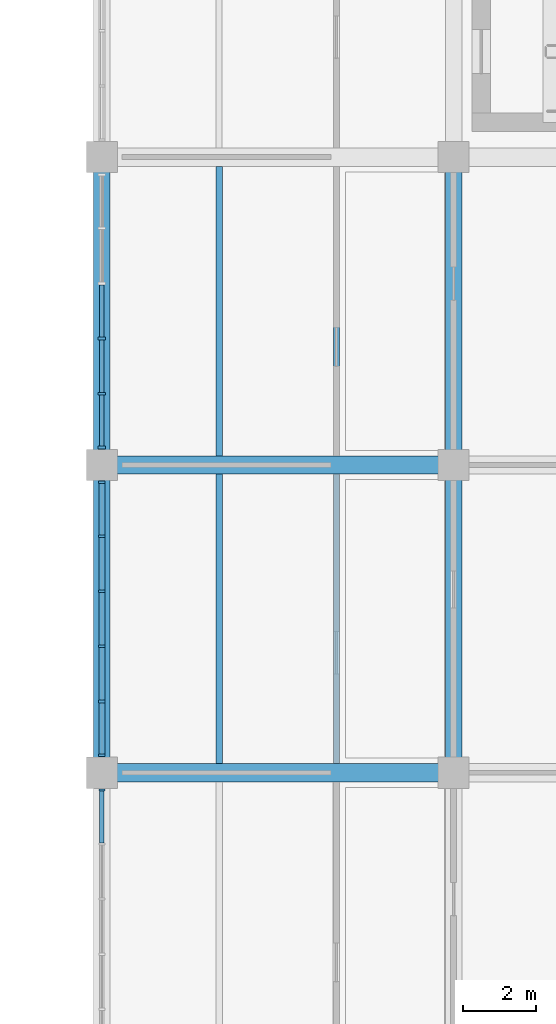
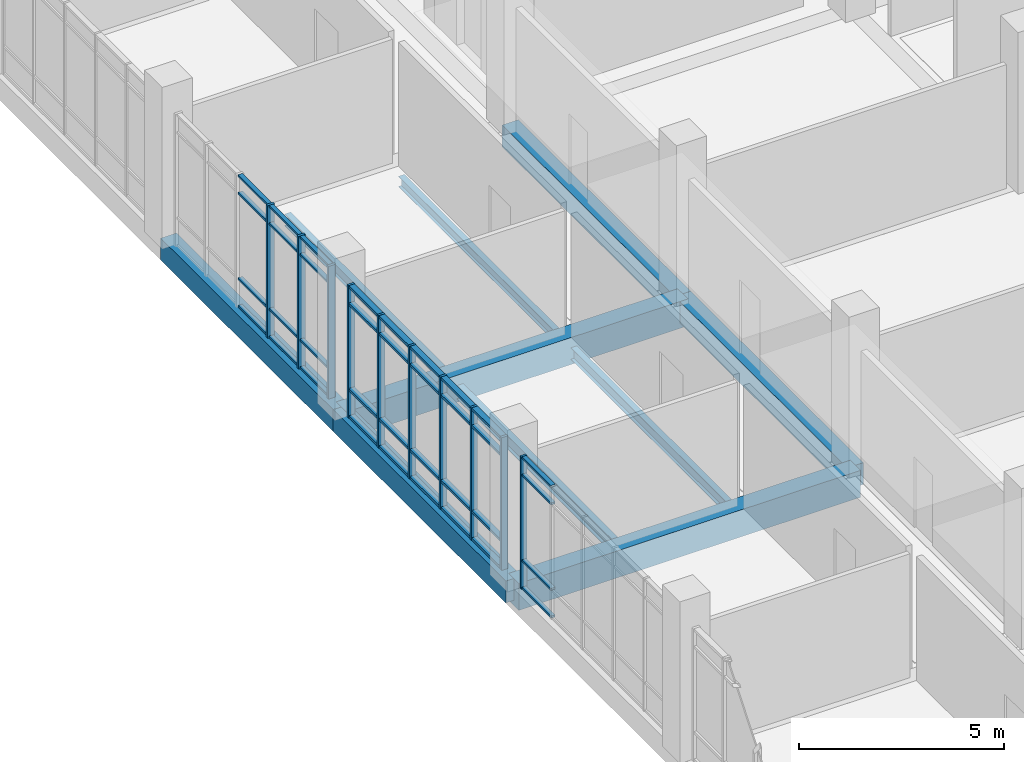
# One storey, part 24 of 152: 46 members, 10 beams, 3 elements without a shape of their own.
"""IFC4 building model written with IfcOpenShell, lengths in metres."""

from ifc_helpers import new_model, si_unit, direction, frame, origin, origin_2d, place, context, subcontext, project, spatial, rectangle, i_section, extrude, material, material_profile, profile_set, type_object, element, aggregate, save


model = new_model("IFC4")

# Units and contexts
model_context = context("Model", 3, precision=1e-05, world=origin(), true_north=direction((0.0, 1.0)))
body_context = subcontext(model_context, "Body", "Model", "MODEL_VIEW")
ifc_project = project(units=[si_unit("LENGTHUNIT", "METRE"), si_unit("AREAUNIT", "SQUARE_METRE"), si_unit("VOLUMEUNIT", "CUBIC_METRE"), si_unit("PLANEANGLEUNIT", "RADIAN"), si_unit("MASSUNIT", "GRAM", prefix="KILO")], contexts=[model_context])

# Site, building, storey
site_placement = place(None, origin())
site = spatial("IfcSite", under=ifc_project, at=site_placement, CompositionType="ELEMENT")
building_placement = place(site_placement, origin())
building = spatial("IfcBuilding", under=site, at=building_placement, Name="Oolite Switchyard Hospital", CompositionType="ELEMENT")
storey_placement = place(building_placement, frame((0.0, 0.0, 5.10009765625)))
storey = spatial("IfcBuildingStorey", under=building, at=storey_placement, Name="L01", CompositionType="ELEMENT", Elevation=5.10009765625)

# Beams
ifc_material_1 = material(Name="Concrete C40/50", Category="concrete")
ifc_material_profile_1 = material_profile(ifc_material_1, rectangle(XDim=0.449951171875, YDim=0.64990234375, at=origin_2d()), Name="RCB450X650")
ifc_profile_set_1 = profile_set([ifc_material_profile_1], Name="Concrete C40/50")
beam_type_1 = type_object("IfcBeamType", Name="BM-RC450X650", PredefinedType="BEAM", material=ifc_profile_set_1)
beam_1_placement = place(storey_placement, frame((115.199951171875, 50.39990234375, -0.3251953125), z_axis=(0.0, 1.0, 0.0), x_axis=(-1.0, 0.0, 0.0)))
element("IfcBeam", 1, at=beam_1_placement, inside=storey, type_object=beam_type_1, Name="L01 Y-Girder 428", PredefinedType="BEAM", context=body_context, shape_type="SweptSolid", body=[
    extrude(rectangle(XDim=0.449951171875, YDim=0.64990234375, at=origin_2d()), origin(), (0.0, 0.0, 1.0), 8.400146484375),
])
beam_2_placement = place(storey_placement, frame((115.199951171875, 58.800048828125, -0.3251953125), z_axis=(0.0, 1.0, 0.0), x_axis=(-1.0, 0.0, 0.0)))
element("IfcBeam", 2, at=beam_2_placement, inside=storey, type_object=beam_type_1, Name="L01 Y-Girder 429", PredefinedType="BEAM", context=body_context, shape_type="SweptSolid", body=[
    extrude(rectangle(XDim=0.449951171875, YDim=0.64990234375, at=origin_2d()), origin(), (0.0, 0.0, 1.0), 8.39990234375),
])
beam_3_placement = place(storey_placement, frame((124.800048828125, 50.39990234375, -0.3251953125), z_axis=(0.0, 1.0, 0.0), x_axis=(-1.0, 0.0, 0.0)))
element("IfcBeam", 3, at=beam_3_placement, inside=storey, type_object=beam_type_1, Name="L01 Y-Girder 437", PredefinedType="BEAM", context=body_context, shape_type="SweptSolid", body=[
    extrude(rectangle(XDim=0.449951171875, YDim=0.64990234375, at=origin_2d()), origin(), (0.0, 0.0, 1.0), 8.400146484375),
])
beam_4_placement = place(storey_placement, frame((124.800048828125, 58.800048828125, -0.3251953125), z_axis=(0.0, 1.0, 0.0), x_axis=(-1.0, 0.0, 0.0)))
element("IfcBeam", 4, at=beam_4_placement, inside=storey, type_object=beam_type_1, Name="L01 Y-Girder 438", PredefinedType="BEAM", context=body_context, shape_type="SweptSolid", body=[
    extrude(rectangle(XDim=0.449951171875, YDim=0.64990234375, at=origin_2d()), origin(), (0.0, 0.0, 1.0), 8.39990234375),
])
ifc_material_profile_2 = material_profile(ifc_material_1, rectangle(XDim=0.5, YDim=0.800048828125, at=origin_2d()), Name="RCB500X800")
ifc_profile_set_2 = profile_set([ifc_material_profile_2], Name="Concrete C40/50")
beam_type_2 = type_object("IfcBeamType", Name="BM-RC500X800", PredefinedType="BEAM", material=ifc_profile_set_2)
for number, where, z_axis, x_axis, name in (
    (5, (115.199951171875, 50.39990234375, -0.400146484375), (1.0, 0.0, 0.0), (0.0, 1.0, 0.0), "L01 X-Girder 102"),
    (6, (115.199951171875, 58.800048828125, -0.400146484375), (1.0, 0.0, 0.0), (0.0, 1.0, 0.0), "L01 X-Girder 118"),
):
    element("IfcBeam", number, at=place(storey_placement, frame(where, z_axis=z_axis, x_axis=x_axis)), inside=storey, type_object=beam_type_2, Name=name, PredefinedType="BEAM", context=body_context, shape_type="SweptSolid", body=[
        extrude(rectangle(XDim=0.5, YDim=0.800048828125, at=origin_2d()), origin(), (0.0, 0.0, 1.0), 9.60009765625),
    ])
ifc_material_2 = material(Name="Steel ASTM A992 Grade 50", Category="steel")
ifc_material_profile_3 = material_profile(ifc_material_2, i_section(OverallWidth=0.1650390625, OverallDepth=0.31005859375, WebThickness=0.006103515625, FlangeThickness=0.010009765625, at=origin_2d()), Name="W12X26")
ifc_profile_set_3 = profile_set([ifc_material_profile_3], Name="Steel ASTM A992 Grade 50")
beam_type_3 = type_object("IfcBeamType", Name="BM-W12X26", PredefinedType="JOIST", material=ifc_profile_set_3)
beam_5_placement = place(storey_placement, frame((121.60009765625, 59.050048828125, -0.455078125), z_axis=(0.0, 1.0, 0.0), x_axis=(-1.0, 0.0, 0.0)))
element("IfcBeam", 7, at=beam_5_placement, inside=storey, type_object=beam_type_3, Name="L01 Secondary Steel Joist 797", PredefinedType="JOIST", context=body_context, shape_type="SweptSolid", body=[
    extrude(i_section(OverallWidth=0.1650390625, OverallDepth=0.31005859375, WebThickness=0.006103515625, FlangeThickness=0.010009765625, at=origin_2d()), origin(), (0.0, 0.0, 1.0), 7.89990234375),
])
ifc_material_profile_4 = material_profile(ifc_material_2, i_section(OverallWidth=0.1708984375, OverallDepth=0.35107421875, WebThickness=0.007080078125, FlangeThickness=0.010009765625, at=origin_2d()), Name="W14X30")
ifc_profile_set_4 = profile_set([ifc_material_profile_4], Name="Steel ASTM A992 Grade 50")
beam_type_4 = type_object("IfcBeamType", Name="BM-W14X30", PredefinedType="JOIST", material=ifc_profile_set_4)
beam_6_placement = place(storey_placement, frame((121.60009765625, 50.64990234375, -0.47607421875), z_axis=(0.0, 1.0, 0.0), x_axis=(-1.0, 0.0, 0.0)))
element("IfcBeam", 8, at=beam_6_placement, inside=storey, type_object=beam_type_4, Name="L01 Secondary Steel Joist 795", PredefinedType="JOIST", context=body_context, shape_type="SweptSolid", body=[
    extrude(i_section(OverallWidth=0.1708984375, OverallDepth=0.35107421875, WebThickness=0.007080078125, FlangeThickness=0.010009765625, at=origin_2d()), origin(), (0.0, 0.0, 1.0), 7.900146484375),
])
beam_7_placement = place(storey_placement, frame((118.39990234375, 59.050048828125, -0.47607421875), z_axis=(0.0, 1.0, 0.0), x_axis=(-1.0, 0.0, 0.0)))
element("IfcBeam", 9, at=beam_7_placement, inside=storey, type_object=beam_type_4, Name="L01 Secondary Steel Joist 796", PredefinedType="JOIST", context=body_context, shape_type="SweptSolid", body=[
    extrude(i_section(OverallWidth=0.1708984375, OverallDepth=0.35107421875, WebThickness=0.007080078125, FlangeThickness=0.010009765625, at=origin_2d()), origin(), (0.0, 0.0, 1.0), 7.89990234375),
])
ifc_material_profile_5 = material_profile(ifc_material_2, i_section(OverallWidth=0.177978515625, OverallDepth=0.403076171875, WebThickness=0.008056640625, FlangeThickness=0.010986328125, at=origin_2d()), Name="W16X36")
ifc_profile_set_5 = profile_set([ifc_material_profile_5], Name="Steel ASTM A992 Grade 50")
beam_type_5 = type_object("IfcBeamType", Name="BM-W16X36", PredefinedType="JOIST", material=ifc_profile_set_5)
beam_8_placement = place(storey_placement, frame((118.39990234375, 50.64990234375, -0.502197265625), z_axis=(0.0, 1.0, 0.0), x_axis=(-1.0, 0.0, 0.0)))
element("IfcBeam", 10, at=beam_8_placement, inside=storey, type_object=beam_type_5, Name="L01 Secondary Steel Joist 794", PredefinedType="JOIST", context=body_context, shape_type="SweptSolid", body=[
    extrude(i_section(OverallWidth=0.177978515625, OverallDepth=0.403076171875, WebThickness=0.008056640625, FlangeThickness=0.010986328125, at=origin_2d()), origin(), (0.0, 0.0, 1.0), 7.900146484375),
])

# Curtain wall, member
ifc_material_3 = material(Name="Thermally broken aluminum frame with laminated impact glazing", Category="aluminium")
curtain_wall_type = type_object("IfcCurtainWallType", Name="CW-UNIT-84X48", PredefinedType="USERDEFINED", material=ifc_material_3)
curtain_wall_1_placement = place(storey_placement, origin())
curtain_wall_1 = element("IfcCurtainWall", 11, at=curtain_wall_1_placement, inside=storey, type_object=curtain_wall_type, Name="L01 Unitised Curtain Wall 182", ObjectType="UNITISED", PredefinedType="USERDEFINED")
ifc_material_4 = material(Name="Aluminium 6063-T6", Category="aluminium")
ifc_material_profile_6 = material_profile(ifc_material_4, rectangle(XDim=0.159912109375, YDim=0.06005859375, at=origin_2d()), Name="CWM60X160")
ifc_profile_set_6 = profile_set([ifc_material_profile_6], Name="Aluminium 6063-T6")
member_type_1 = type_object("IfcMemberType", Name="CW-MUL-180", PredefinedType="MULLION", material=ifc_profile_set_6)
member_1_placement = place(storey_placement, frame((115.199951171875, 49.929931640625, 0.0), z_axis=(0.0, 0.0, 1.0), x_axis=(-1.0, 0.0, 0.0)))
member_1 = element("IfcMember", 12, at=member_1_placement, type_object=member_type_1, Name="CW-07 mullion 6", PredefinedType="MULLION", context=body_context, shape_type="SweptSolid", body=[
    extrude(rectangle(XDim=0.159912109375, YDim=0.06005859375, at=origin_2d()), origin(), (0.0, 0.0, 1.0), 3.93994140625),
])

# Curtain wall, members
curtain_wall_2_placement = place(storey_placement, origin())
curtain_wall_2 = element("IfcCurtainWall", 13, at=curtain_wall_2_placement, inside=storey, type_object=curtain_wall_type, Name="L01 Unitised Curtain Wall 183", ObjectType="UNITISED", PredefinedType="USERDEFINED")
ifc_material_profile_7 = material_profile(ifc_material_4, rectangle(XDim=0.179931640625, YDim=0.070068359375, at=origin_2d()), Name="CWM70X180")
ifc_profile_set_7 = profile_set([ifc_material_profile_7], Name="Aluminium 6063-T6")
member_type_2 = type_object("IfcMemberType", Name="CW-MUL-220", PredefinedType="MULLION", material=ifc_profile_set_7)
member_2_placement = place(storey_placement, frame((115.199951171875, 50.875, 0.0), z_axis=(0.0, 0.0, 1.0), x_axis=(-1.0, 0.0, 0.0)))
member_2 = element("IfcMember", 14, at=member_2_placement, type_object=member_type_2, Name="CW-07 mullion 1", PredefinedType="MULLION", context=body_context, shape_type="SweptSolid", body=[
    extrude(rectangle(XDim=0.179931640625, YDim=0.070068359375, at=origin_2d()), origin(), (0.0, 0.0, 1.0), 3.93994140625),
])
member_3_placement = place(storey_placement, frame((115.199951171875, 52.343994140625, 0.0), z_axis=(0.0, 0.0, 1.0), x_axis=(-1.0, 0.0, 0.0)))
member_3 = element("IfcMember", 15, at=member_3_placement, type_object=member_type_2, Name="CW-07 mullion 2", PredefinedType="MULLION", context=body_context, shape_type="SweptSolid", body=[
    extrude(rectangle(XDim=0.179931640625, YDim=0.070068359375, at=origin_2d()), origin(), (0.0, 0.0, 1.0), 3.93994140625),
])
member_4_placement = place(storey_placement, frame((115.199951171875, 53.847900390625, 0.0), z_axis=(0.0, 0.0, 1.0), x_axis=(-1.0, 0.0, 0.0)))
member_4 = element("IfcMember", 16, at=member_4_placement, type_object=member_type_2, Name="CW-07 mullion 3", PredefinedType="MULLION", context=body_context, shape_type="SweptSolid", body=[
    extrude(rectangle(XDim=0.179931640625, YDim=0.070068359375, at=origin_2d()), origin(), (0.0, 0.0, 1.0), 3.93994140625),
])
member_5_placement = place(storey_placement, frame((115.199951171875, 55.35205078125, 0.0), z_axis=(0.0, 0.0, 1.0), x_axis=(-1.0, 0.0, 0.0)))
member_5 = element("IfcMember", 17, at=member_5_placement, type_object=member_type_2, Name="CW-07 mullion 4", PredefinedType="MULLION", context=body_context, shape_type="SweptSolid", body=[
    extrude(rectangle(XDim=0.179931640625, YDim=0.070068359375, at=origin_2d()), origin(), (0.0, 0.0, 1.0), 3.93994140625),
])
member_6_placement = place(storey_placement, frame((115.199951171875, 56.85595703125, 0.0), z_axis=(0.0, 0.0, 1.0), x_axis=(-1.0, 0.0, 0.0)))
member_6 = element("IfcMember", 18, at=member_6_placement, type_object=member_type_2, Name="CW-07 mullion 5", PredefinedType="MULLION", context=body_context, shape_type="SweptSolid", body=[
    extrude(rectangle(XDim=0.179931640625, YDim=0.070068359375, at=origin_2d()), origin(), (0.0, 0.0, 1.0), 3.93994140625),
])
member_7_placement = place(storey_placement, frame((115.199951171875, 58.324951171875, 0.0), z_axis=(0.0, 0.0, 1.0), x_axis=(-1.0, 0.0, 0.0)))
member_7 = element("IfcMember", 19, at=member_7_placement, type_object=member_type_2, Name="CW-07 mullion 6", PredefinedType="MULLION", context=body_context, shape_type="SweptSolid", body=[
    extrude(rectangle(XDim=0.179931640625, YDim=0.070068359375, at=origin_2d()), origin(), (0.0, 0.0, 1.0), 3.93994140625),
])

curtain_wall_3_placement = place(storey_placement, origin())
curtain_wall_3 = element("IfcCurtainWall", 20, at=curtain_wall_3_placement, inside=storey, type_object=curtain_wall_type, Name="L01 Unitised Curtain Wall 184", ObjectType="UNITISED", PredefinedType="USERDEFINED")
ifc_material_profile_8 = material_profile(ifc_material_4, rectangle(XDim=0.199951171875, YDim=0.074951171875, at=origin_2d()), Name="CWM75X200")
ifc_profile_set_8 = profile_set([ifc_material_profile_8], Name="Aluminium 6063-T6")
member_type_3 = type_object("IfcMemberType", Name="CW-MUL-260", PredefinedType="MULLION", material=ifc_profile_set_8)
member_8_placement = place(storey_placement, frame((115.199951171875, 59.277587890625, 0.0), z_axis=(0.0, 0.0, 1.0), x_axis=(-1.0, 0.0, 0.0)))
member_8 = element("IfcMember", 21, at=member_8_placement, type_object=member_type_3, Name="CW-07 mullion 1", PredefinedType="MULLION", context=body_context, shape_type="SweptSolid", body=[
    extrude(rectangle(XDim=0.199951171875, YDim=0.074951171875, at=origin_2d()), origin(), (0.0, 0.0, 1.0), 3.93994140625),
])
member_9_placement = place(storey_placement, frame((115.199951171875, 60.743896484375, 0.0), z_axis=(0.0, 0.0, 1.0), x_axis=(-1.0, 0.0, 0.0)))
member_9 = element("IfcMember", 22, at=member_9_placement, type_object=member_type_3, Name="CW-07 mullion 2", PredefinedType="MULLION", context=body_context, shape_type="SweptSolid", body=[
    extrude(rectangle(XDim=0.199951171875, YDim=0.074951171875, at=origin_2d()), origin(), (0.0, 0.0, 1.0), 3.93994140625),
])
member_10_placement = place(storey_placement, frame((115.199951171875, 62.248046875, 0.0), z_axis=(0.0, 0.0, 1.0), x_axis=(-1.0, 0.0, 0.0)))
member_10 = element("IfcMember", 23, at=member_10_placement, type_object=member_type_3, Name="CW-07 mullion 3", PredefinedType="MULLION", context=body_context, shape_type="SweptSolid", body=[
    extrude(rectangle(XDim=0.199951171875, YDim=0.074951171875, at=origin_2d()), origin(), (0.0, 0.0, 1.0), 3.93994140625),
])

# Member
ifc_material_profile_9 = material_profile(ifc_material_4, rectangle(XDim=0.1201171875, YDim=0.06005859375, at=origin_2d()), Name="CWT60X120")
ifc_profile_set_9 = profile_set([ifc_material_profile_9], Name="Aluminium 6063-T6")
member_type_4 = type_object("IfcMemberType", Name="CW-TRN-150", PredefinedType="USERDEFINED", material=ifc_profile_set_9)
member_11_placement = place(storey_placement, frame((115.199951171875, 48.486083984375, 0.02978515625), z_axis=(0.0, 1.0, 0.0), x_axis=(-1.0, 0.0, 0.0)))
member_11 = element("IfcMember", 24, at=member_11_placement, type_object=member_type_4, Name="CW-07 transom 5.1", ObjectType="TRANSOM", PredefinedType="USERDEFINED", context=body_context, shape_type="SweptSolid", body=[
    extrude(rectangle(XDim=0.1201171875, YDim=0.06005859375, at=origin_2d()), origin(), (0.0, 0.0, 1.0), 1.413818359375),
])

member_12_placement = place(storey_placement, frame((115.199951171875, 48.486083984375, 0.849853515625), z_axis=(0.0, 1.0, 0.0), x_axis=(-1.0, 0.0, 0.0)))
member_12 = element("IfcMember", 25, at=member_12_placement, type_object=member_type_4, Name="CW-07 transom 5.2", ObjectType="TRANSOM", PredefinedType="USERDEFINED", context=body_context, shape_type="SweptSolid", body=[
    extrude(rectangle(XDim=0.1201171875, YDim=0.06005859375, at=origin_2d()), origin(), (0.0, 0.0, 1.0), 1.413818359375),
])

member_13_placement = place(storey_placement, frame((115.199951171875, 48.486083984375, 3.389892578125), z_axis=(0.0, 1.0, 0.0), x_axis=(-1.0, 0.0, 0.0)))
member_13 = element("IfcMember", 26, at=member_13_placement, type_object=member_type_4, Name="CW-07 transom 5.3", ObjectType="TRANSOM", PredefinedType="USERDEFINED", context=body_context, shape_type="SweptSolid", body=[
    extrude(rectangle(XDim=0.1201171875, YDim=0.06005859375, at=origin_2d()), origin(), (0.0, 0.0, 1.0), 1.413818359375),
])

member_14_placement = place(storey_placement, frame((115.199951171875, 48.486083984375, 3.909912109375), z_axis=(0.0, 1.0, 0.0), x_axis=(-1.0, 0.0, 0.0)))
member_14 = element("IfcMember", 27, at=member_14_placement, type_object=member_type_4, Name="CW-07 transom 5.4", ObjectType="TRANSOM", PredefinedType="USERDEFINED", context=body_context, shape_type="SweptSolid", body=[
    extrude(rectangle(XDim=0.1201171875, YDim=0.06005859375, at=origin_2d()), origin(), (0.0, 0.0, 1.0), 1.413818359375),
])

aggregate(curtain_wall_1, [member_1, member_11, member_12, member_13, member_14])

member_15_placement = place(storey_placement, frame((115.199951171875, 59.31494140625, 0.02978515625), z_axis=(0.0, 1.0, 0.0), x_axis=(-1.0, 0.0, 0.0)))
member_15 = element("IfcMember", 28, at=member_15_placement, type_object=member_type_4, Name="CW-07 transom 1.1", ObjectType="TRANSOM", PredefinedType="USERDEFINED", context=body_context, shape_type="SweptSolid", body=[
    extrude(rectangle(XDim=0.1201171875, YDim=0.06005859375, at=origin_2d()), origin(), (0.0, 0.0, 1.0), 1.3916015625),
])

member_16_placement = place(storey_placement, frame((115.199951171875, 59.31494140625, 0.849853515625), z_axis=(0.0, 1.0, 0.0), x_axis=(-1.0, 0.0, 0.0)))
member_16 = element("IfcMember", 29, at=member_16_placement, type_object=member_type_4, Name="CW-07 transom 1.2", ObjectType="TRANSOM", PredefinedType="USERDEFINED", context=body_context, shape_type="SweptSolid", body=[
    extrude(rectangle(XDim=0.1201171875, YDim=0.06005859375, at=origin_2d()), origin(), (0.0, 0.0, 1.0), 1.3916015625),
])

member_17_placement = place(storey_placement, frame((115.199951171875, 59.31494140625, 3.389892578125), z_axis=(0.0, 1.0, 0.0), x_axis=(-1.0, 0.0, 0.0)))
member_17 = element("IfcMember", 30, at=member_17_placement, type_object=member_type_4, Name="CW-07 transom 1.3", ObjectType="TRANSOM", PredefinedType="USERDEFINED", context=body_context, shape_type="SweptSolid", body=[
    extrude(rectangle(XDim=0.1201171875, YDim=0.06005859375, at=origin_2d()), origin(), (0.0, 0.0, 1.0), 1.3916015625),
])

member_18_placement = place(storey_placement, frame((115.199951171875, 59.31494140625, 3.909912109375), z_axis=(0.0, 1.0, 0.0), x_axis=(-1.0, 0.0, 0.0)))
member_18 = element("IfcMember", 31, at=member_18_placement, type_object=member_type_4, Name="CW-07 transom 1.4", ObjectType="TRANSOM", PredefinedType="USERDEFINED", context=body_context, shape_type="SweptSolid", body=[
    extrude(rectangle(XDim=0.1201171875, YDim=0.06005859375, at=origin_2d()), origin(), (0.0, 0.0, 1.0), 1.3916015625),
])

member_19_placement = place(storey_placement, frame((115.199951171875, 60.781494140625, 0.02978515625), z_axis=(0.0, 1.0, 0.0), x_axis=(-1.0, 0.0, 0.0)))
member_19 = element("IfcMember", 32, at=member_19_placement, type_object=member_type_4, Name="CW-07 transom 2.1", ObjectType="TRANSOM", PredefinedType="USERDEFINED", context=body_context, shape_type="SweptSolid", body=[
    extrude(rectangle(XDim=0.1201171875, YDim=0.06005859375, at=origin_2d()), origin(), (0.0, 0.0, 1.0), 1.428955078125),
])

member_20_placement = place(storey_placement, frame((115.199951171875, 60.781494140625, 0.849853515625), z_axis=(0.0, 1.0, 0.0), x_axis=(-1.0, 0.0, 0.0)))
member_20 = element("IfcMember", 33, at=member_20_placement, type_object=member_type_4, Name="CW-07 transom 2.2", ObjectType="TRANSOM", PredefinedType="USERDEFINED", context=body_context, shape_type="SweptSolid", body=[
    extrude(rectangle(XDim=0.1201171875, YDim=0.06005859375, at=origin_2d()), origin(), (0.0, 0.0, 1.0), 1.428955078125),
])

member_21_placement = place(storey_placement, frame((115.199951171875, 60.781494140625, 3.389892578125), z_axis=(0.0, 1.0, 0.0), x_axis=(-1.0, 0.0, 0.0)))
member_21 = element("IfcMember", 34, at=member_21_placement, type_object=member_type_4, Name="CW-07 transom 2.3", ObjectType="TRANSOM", PredefinedType="USERDEFINED", context=body_context, shape_type="SweptSolid", body=[
    extrude(rectangle(XDim=0.1201171875, YDim=0.06005859375, at=origin_2d()), origin(), (0.0, 0.0, 1.0), 1.428955078125),
])

member_22_placement = place(storey_placement, frame((115.199951171875, 60.781494140625, 3.909912109375), z_axis=(0.0, 1.0, 0.0), x_axis=(-1.0, 0.0, 0.0)))
member_22 = element("IfcMember", 35, at=member_22_placement, type_object=member_type_4, Name="CW-07 transom 2.4", ObjectType="TRANSOM", PredefinedType="USERDEFINED", context=body_context, shape_type="SweptSolid", body=[
    extrude(rectangle(XDim=0.1201171875, YDim=0.06005859375, at=origin_2d()), origin(), (0.0, 0.0, 1.0), 1.428955078125),
])

member_23_placement = place(storey_placement, frame((115.199951171875, 62.285400390625, 0.02978515625), z_axis=(0.0, 1.0, 0.0), x_axis=(-1.0, 0.0, 0.0)))
member_23 = element("IfcMember", 36, at=member_23_placement, type_object=member_type_4, Name="CW-07 transom 3.1", ObjectType="TRANSOM", PredefinedType="USERDEFINED", context=body_context, shape_type="SweptSolid", body=[
    extrude(rectangle(XDim=0.1201171875, YDim=0.06005859375, at=origin_2d()), origin(), (0.0, 0.0, 1.0), 1.42919921875),
])

member_24_placement = place(storey_placement, frame((115.199951171875, 62.285400390625, 0.849853515625), z_axis=(0.0, 1.0, 0.0), x_axis=(-1.0, 0.0, 0.0)))
member_24 = element("IfcMember", 37, at=member_24_placement, type_object=member_type_4, Name="CW-07 transom 3.2", ObjectType="TRANSOM", PredefinedType="USERDEFINED", context=body_context, shape_type="SweptSolid", body=[
    extrude(rectangle(XDim=0.1201171875, YDim=0.06005859375, at=origin_2d()), origin(), (0.0, 0.0, 1.0), 1.42919921875),
])

member_25_placement = place(storey_placement, frame((115.199951171875, 62.285400390625, 3.389892578125), z_axis=(0.0, 1.0, 0.0), x_axis=(-1.0, 0.0, 0.0)))
member_25 = element("IfcMember", 38, at=member_25_placement, type_object=member_type_4, Name="CW-07 transom 3.3", ObjectType="TRANSOM", PredefinedType="USERDEFINED", context=body_context, shape_type="SweptSolid", body=[
    extrude(rectangle(XDim=0.1201171875, YDim=0.06005859375, at=origin_2d()), origin(), (0.0, 0.0, 1.0), 1.42919921875),
])

member_26_placement = place(storey_placement, frame((115.199951171875, 62.285400390625, 3.909912109375), z_axis=(0.0, 1.0, 0.0), x_axis=(-1.0, 0.0, 0.0)))
member_26 = element("IfcMember", 39, at=member_26_placement, type_object=member_type_4, Name="CW-07 transom 3.4", ObjectType="TRANSOM", PredefinedType="USERDEFINED", context=body_context, shape_type="SweptSolid", body=[
    extrude(rectangle(XDim=0.1201171875, YDim=0.06005859375, at=origin_2d()), origin(), (0.0, 0.0, 1.0), 1.42919921875),
])

aggregate(curtain_wall_3, [member_8, member_9, member_10, member_15, member_16, member_17, member_18, member_19, member_20, member_21, member_22, member_23, member_24, member_25, member_26])

ifc_material_profile_10 = material_profile(ifc_material_4, rectangle(XDim=0.159912109375, YDim=0.074951171875, at=origin_2d()), Name="CWT75X160")
ifc_profile_set_10 = profile_set([ifc_material_profile_10], Name="Aluminium 6063-T6")
member_type_5 = type_object("IfcMemberType", Name="CW-TRN-180", PredefinedType="USERDEFINED", material=ifc_profile_set_10)
member_27_placement = place(storey_placement, frame((115.199951171875, 50.909912109375, 0.037353515625), z_axis=(0.0, 1.0, 0.0), x_axis=(-1.0, 0.0, 0.0)))
member_27 = element("IfcMember", 40, at=member_27_placement, type_object=member_type_5, Name="CW-07 transom 1.1", ObjectType="TRANSOM", PredefinedType="USERDEFINED", context=body_context, shape_type="SweptSolid", body=[
    extrude(rectangle(XDim=0.159912109375, YDim=0.074951171875, at=origin_2d()), origin(), (0.0, 0.0, 1.0), 1.399169921875),
])

member_28_placement = place(storey_placement, frame((115.199951171875, 50.909912109375, 0.849853515625), z_axis=(0.0, 1.0, 0.0), x_axis=(-1.0, 0.0, 0.0)))
member_28 = element("IfcMember", 41, at=member_28_placement, type_object=member_type_5, Name="CW-07 transom 1.2", ObjectType="TRANSOM", PredefinedType="USERDEFINED", context=body_context, shape_type="SweptSolid", body=[
    extrude(rectangle(XDim=0.159912109375, YDim=0.074951171875, at=origin_2d()), origin(), (0.0, 0.0, 1.0), 1.399169921875),
])

member_29_placement = place(storey_placement, frame((115.199951171875, 50.909912109375, 3.389892578125), z_axis=(0.0, 1.0, 0.0), x_axis=(-1.0, 0.0, 0.0)))
member_29 = element("IfcMember", 42, at=member_29_placement, type_object=member_type_5, Name="CW-07 transom 1.3", ObjectType="TRANSOM", PredefinedType="USERDEFINED", context=body_context, shape_type="SweptSolid", body=[
    extrude(rectangle(XDim=0.159912109375, YDim=0.074951171875, at=origin_2d()), origin(), (0.0, 0.0, 1.0), 1.399169921875),
])

member_30_placement = place(storey_placement, frame((115.199951171875, 50.909912109375, 3.90234375), z_axis=(0.0, 1.0, 0.0), x_axis=(-1.0, 0.0, 0.0)))
member_30 = element("IfcMember", 43, at=member_30_placement, type_object=member_type_5, Name="CW-07 transom 1.4", ObjectType="TRANSOM", PredefinedType="USERDEFINED", context=body_context, shape_type="SweptSolid", body=[
    extrude(rectangle(XDim=0.159912109375, YDim=0.074951171875, at=origin_2d()), origin(), (0.0, 0.0, 1.0), 1.399169921875),
])

member_31_placement = place(storey_placement, frame((115.199951171875, 52.37890625, 0.037353515625), z_axis=(0.0, 1.0, 0.0), x_axis=(-1.0, 0.0, 0.0)))
member_31 = element("IfcMember", 44, at=member_31_placement, type_object=member_type_5, Name="CW-07 transom 2.1", ObjectType="TRANSOM", PredefinedType="USERDEFINED", context=body_context, shape_type="SweptSolid", body=[
    extrude(rectangle(XDim=0.159912109375, YDim=0.074951171875, at=origin_2d()), origin(), (0.0, 0.0, 1.0), 1.43408203125),
])

member_32_placement = place(storey_placement, frame((115.199951171875, 52.37890625, 0.849853515625), z_axis=(0.0, 1.0, 0.0), x_axis=(-1.0, 0.0, 0.0)))
member_32 = element("IfcMember", 45, at=member_32_placement, type_object=member_type_5, Name="CW-07 transom 2.2", ObjectType="TRANSOM", PredefinedType="USERDEFINED", context=body_context, shape_type="SweptSolid", body=[
    extrude(rectangle(XDim=0.159912109375, YDim=0.074951171875, at=origin_2d()), origin(), (0.0, 0.0, 1.0), 1.43408203125),
])

member_33_placement = place(storey_placement, frame((115.199951171875, 52.37890625, 3.389892578125), z_axis=(0.0, 1.0, 0.0), x_axis=(-1.0, 0.0, 0.0)))
member_33 = element("IfcMember", 46, at=member_33_placement, type_object=member_type_5, Name="CW-07 transom 2.3", ObjectType="TRANSOM", PredefinedType="USERDEFINED", context=body_context, shape_type="SweptSolid", body=[
    extrude(rectangle(XDim=0.159912109375, YDim=0.074951171875, at=origin_2d()), origin(), (0.0, 0.0, 1.0), 1.43408203125),
])

member_34_placement = place(storey_placement, frame((115.199951171875, 52.37890625, 3.90234375), z_axis=(0.0, 1.0, 0.0), x_axis=(-1.0, 0.0, 0.0)))
member_34 = element("IfcMember", 47, at=member_34_placement, type_object=member_type_5, Name="CW-07 transom 2.4", ObjectType="TRANSOM", PredefinedType="USERDEFINED", context=body_context, shape_type="SweptSolid", body=[
    extrude(rectangle(XDim=0.159912109375, YDim=0.074951171875, at=origin_2d()), origin(), (0.0, 0.0, 1.0), 1.43408203125),
])

member_35_placement = place(storey_placement, frame((115.199951171875, 53.883056640625, 0.037353515625), z_axis=(0.0, 1.0, 0.0), x_axis=(-1.0, 0.0, 0.0)))
member_35 = element("IfcMember", 48, at=member_35_placement, type_object=member_type_5, Name="CW-07 transom 3.1", ObjectType="TRANSOM", PredefinedType="USERDEFINED", context=body_context, shape_type="SweptSolid", body=[
    extrude(rectangle(XDim=0.159912109375, YDim=0.074951171875, at=origin_2d()), origin(), (0.0, 0.0, 1.0), 1.433837890625),
])

member_36_placement = place(storey_placement, frame((115.199951171875, 53.883056640625, 0.849853515625), z_axis=(0.0, 1.0, 0.0), x_axis=(-1.0, 0.0, 0.0)))
member_36 = element("IfcMember", 49, at=member_36_placement, type_object=member_type_5, Name="CW-07 transom 3.2", ObjectType="TRANSOM", PredefinedType="USERDEFINED", context=body_context, shape_type="SweptSolid", body=[
    extrude(rectangle(XDim=0.159912109375, YDim=0.074951171875, at=origin_2d()), origin(), (0.0, 0.0, 1.0), 1.433837890625),
])

member_37_placement = place(storey_placement, frame((115.199951171875, 53.883056640625, 3.389892578125), z_axis=(0.0, 1.0, 0.0), x_axis=(-1.0, 0.0, 0.0)))
member_37 = element("IfcMember", 50, at=member_37_placement, type_object=member_type_5, Name="CW-07 transom 3.3", ObjectType="TRANSOM", PredefinedType="USERDEFINED", context=body_context, shape_type="SweptSolid", body=[
    extrude(rectangle(XDim=0.159912109375, YDim=0.074951171875, at=origin_2d()), origin(), (0.0, 0.0, 1.0), 1.433837890625),
])

member_38_placement = place(storey_placement, frame((115.199951171875, 53.883056640625, 3.90234375), z_axis=(0.0, 1.0, 0.0), x_axis=(-1.0, 0.0, 0.0)))
member_38 = element("IfcMember", 51, at=member_38_placement, type_object=member_type_5, Name="CW-07 transom 3.4", ObjectType="TRANSOM", PredefinedType="USERDEFINED", context=body_context, shape_type="SweptSolid", body=[
    extrude(rectangle(XDim=0.159912109375, YDim=0.074951171875, at=origin_2d()), origin(), (0.0, 0.0, 1.0), 1.433837890625),
])

member_39_placement = place(storey_placement, frame((115.199951171875, 55.386962890625, 0.037353515625), z_axis=(0.0, 1.0, 0.0), x_axis=(-1.0, 0.0, 0.0)))
member_39 = element("IfcMember", 52, at=member_39_placement, type_object=member_type_5, Name="CW-07 transom 4.1", ObjectType="TRANSOM", PredefinedType="USERDEFINED", context=body_context, shape_type="SweptSolid", body=[
    extrude(rectangle(XDim=0.159912109375, YDim=0.074951171875, at=origin_2d()), origin(), (0.0, 0.0, 1.0), 1.43408203125),
])

member_40_placement = place(storey_placement, frame((115.199951171875, 55.386962890625, 0.849853515625), z_axis=(0.0, 1.0, 0.0), x_axis=(-1.0, 0.0, 0.0)))
member_40 = element("IfcMember", 53, at=member_40_placement, type_object=member_type_5, Name="CW-07 transom 4.2", ObjectType="TRANSOM", PredefinedType="USERDEFINED", context=body_context, shape_type="SweptSolid", body=[
    extrude(rectangle(XDim=0.159912109375, YDim=0.074951171875, at=origin_2d()), origin(), (0.0, 0.0, 1.0), 1.43408203125),
])

member_41_placement = place(storey_placement, frame((115.199951171875, 55.386962890625, 3.389892578125), z_axis=(0.0, 1.0, 0.0), x_axis=(-1.0, 0.0, 0.0)))
member_41 = element("IfcMember", 54, at=member_41_placement, type_object=member_type_5, Name="CW-07 transom 4.3", ObjectType="TRANSOM", PredefinedType="USERDEFINED", context=body_context, shape_type="SweptSolid", body=[
    extrude(rectangle(XDim=0.159912109375, YDim=0.074951171875, at=origin_2d()), origin(), (0.0, 0.0, 1.0), 1.43408203125),
])

member_42_placement = place(storey_placement, frame((115.199951171875, 55.386962890625, 3.90234375), z_axis=(0.0, 1.0, 0.0), x_axis=(-1.0, 0.0, 0.0)))
member_42 = element("IfcMember", 55, at=member_42_placement, type_object=member_type_5, Name="CW-07 transom 4.4", ObjectType="TRANSOM", PredefinedType="USERDEFINED", context=body_context, shape_type="SweptSolid", body=[
    extrude(rectangle(XDim=0.159912109375, YDim=0.074951171875, at=origin_2d()), origin(), (0.0, 0.0, 1.0), 1.43408203125),
])

member_43_placement = place(storey_placement, frame((115.199951171875, 56.89111328125, 0.037353515625), z_axis=(0.0, 1.0, 0.0), x_axis=(-1.0, 0.0, 0.0)))
member_43 = element("IfcMember", 56, at=member_43_placement, type_object=member_type_5, Name="CW-07 transom 5.1", ObjectType="TRANSOM", PredefinedType="USERDEFINED", context=body_context, shape_type="SweptSolid", body=[
    extrude(rectangle(XDim=0.159912109375, YDim=0.074951171875, at=origin_2d()), origin(), (0.0, 0.0, 1.0), 1.39892578125),
])

member_44_placement = place(storey_placement, frame((115.199951171875, 56.89111328125, 0.849853515625), z_axis=(0.0, 1.0, 0.0), x_axis=(-1.0, 0.0, 0.0)))
member_44 = element("IfcMember", 57, at=member_44_placement, type_object=member_type_5, Name="CW-07 transom 5.2", ObjectType="TRANSOM", PredefinedType="USERDEFINED", context=body_context, shape_type="SweptSolid", body=[
    extrude(rectangle(XDim=0.159912109375, YDim=0.074951171875, at=origin_2d()), origin(), (0.0, 0.0, 1.0), 1.39892578125),
])

member_45_placement = place(storey_placement, frame((115.199951171875, 56.89111328125, 3.389892578125), z_axis=(0.0, 1.0, 0.0), x_axis=(-1.0, 0.0, 0.0)))
member_45 = element("IfcMember", 58, at=member_45_placement, type_object=member_type_5, Name="CW-07 transom 5.3", ObjectType="TRANSOM", PredefinedType="USERDEFINED", context=body_context, shape_type="SweptSolid", body=[
    extrude(rectangle(XDim=0.159912109375, YDim=0.074951171875, at=origin_2d()), origin(), (0.0, 0.0, 1.0), 1.39892578125),
])

member_46_placement = place(storey_placement, frame((115.199951171875, 56.89111328125, 3.90234375), z_axis=(0.0, 1.0, 0.0), x_axis=(-1.0, 0.0, 0.0)))
member_46 = element("IfcMember", 59, at=member_46_placement, type_object=member_type_5, Name="CW-07 transom 5.4", ObjectType="TRANSOM", PredefinedType="USERDEFINED", context=body_context, shape_type="SweptSolid", body=[
    extrude(rectangle(XDim=0.159912109375, YDim=0.074951171875, at=origin_2d()), origin(), (0.0, 0.0, 1.0), 1.39892578125),
])

aggregate(curtain_wall_2, [member_2, member_3, member_4, member_5, member_6, member_7, member_27, member_28, member_29, member_30, member_31, member_32, member_33, member_34, member_35, member_36, member_37, member_38, member_39, member_40, member_41, member_42, member_43, member_44, member_45, member_46])

save(model, "model.ifc")
